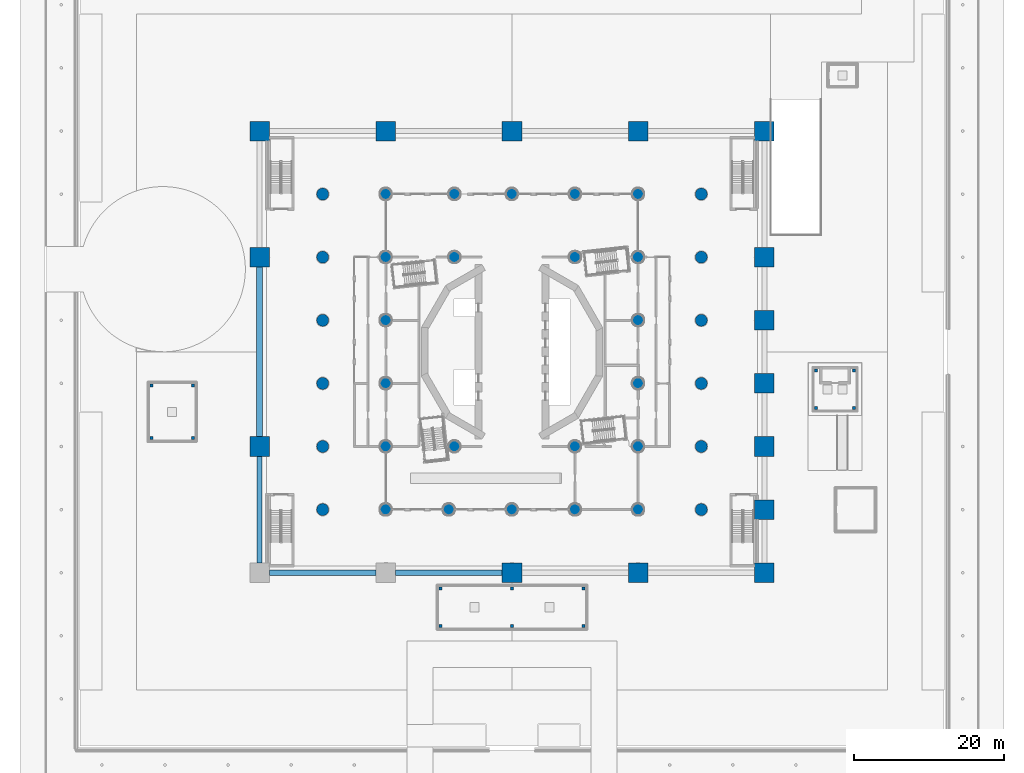
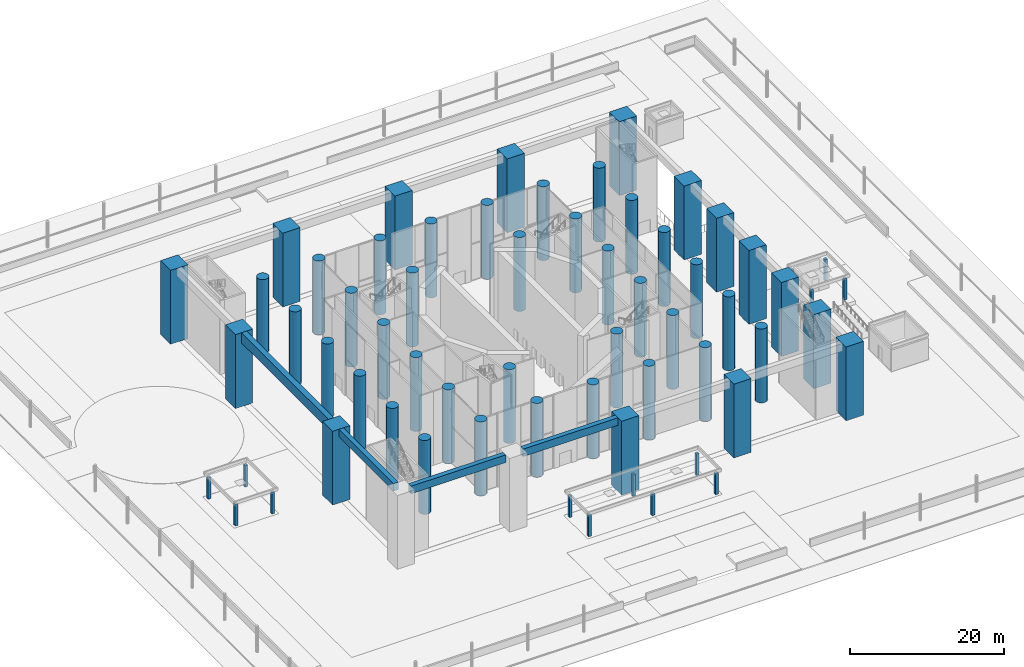
# One storey, part 2 of 52: 63 columns, 4 beams.
"""IFC4 building model written with IfcOpenShell, lengths in metres."""

from ifc_helpers import new_model, si_unit, direction, frame, origin, origin_2d, place, context, subcontext, project, spatial, rectangle, circle, extrude, material, material_profile, profile_set, type_object, element, save


model = new_model("IFC4")

# Units and contexts
model_context = context("Model", 3, precision=1e-05, world=origin(), true_north=direction((0.0, 1.0)))
body_context = subcontext(model_context, "Body", "Model", "MODEL_VIEW")
ifc_project = project(units=[si_unit("LENGTHUNIT", "METRE"), si_unit("AREAUNIT", "SQUARE_METRE"), si_unit("VOLUMEUNIT", "CUBIC_METRE"), si_unit("PLANEANGLEUNIT", "RADIAN"), si_unit("MASSUNIT", "GRAM", prefix="KILO")], contexts=[model_context])

# Site, building, storey
site_placement = place(None, origin())
site = spatial("IfcSite", under=ifc_project, at=site_placement, CompositionType="ELEMENT")
building_placement = place(site_placement, origin())
building = spatial("IfcBuilding", under=site, at=building_placement, Name="Cantera Rosa Tower", CompositionType="ELEMENT")
storey_placement = place(building_placement, origin())
storey = spatial("IfcBuildingStorey", under=building, at=storey_placement, Name="L00", CompositionType="ELEMENT", Elevation=0.0)

# Columns
ifc_material_1 = material(Name="Concrete C60/75", Category="concrete")
ifc_material_profile_1 = material_profile(ifc_material_1, rectangle(XDim=0.39990234375, YDim=0.39990234375, at=origin_2d()), Name="Pavilion column 400x400")
ifc_profile_set_1 = profile_set([ifc_material_profile_1], Name="Concrete C60/75")
column_type_1 = type_object("IfcColumnType", Name="Pavilion column 400x400", PredefinedType="COLUMN", material=ifc_profile_set_1)
for number, where, z_axis, x_axis, name in (
    (1, (-48.0, -11.5, 0.0), (0.0, 0.0, 1.0), (1.0, 0.0, 0.0), "Pavilion column BIKE 00"),
    (2, (-48.0, -4.5, 0.0), (0.0, 0.0, 1.0), (1.0, 0.0, 0.0), "Pavilion column BIKE 01"),
    (3, (-42.5, -11.5, 0.0), (0.0, 0.0, 1.0), (1.0, 0.0, 0.0), "Pavilion column BIKE 10"),
    (4, (-42.5, -4.5, 0.0), (0.0, 0.0, 1.0), (1.0, 0.0, 0.0), "Pavilion column BIKE 11"),
    (5, (-9.5, -36.5, 0.0), (0.0, 0.0, 1.0), (1.0, 0.0, 0.0), "Pavilion column DROP 00"),
    (6, (-9.5, -31.5, 0.0), (0.0, 0.0, 1.0), (1.0, 0.0, 0.0), "Pavilion column DROP 01"),
    (7, (0.0, -36.5, 0.0), (0.0, 0.0, 1.0), (1.0, 0.0, 0.0), "Pavilion column DROP 10"),
    (8, (0.0, -31.5, 0.0), (0.0, 0.0, 1.0), (1.0, 0.0, 0.0), "Pavilion column DROP 11"),
    (9, (9.5, -36.5, 0.0), (0.0, 0.0, 1.0), (1.0, 0.0, 0.0), "Pavilion column DROP 20"),
    (10, (9.5, -31.5, 0.0), (0.0, 0.0, 1.0), (1.0, 0.0, 0.0), "Pavilion column DROP 21"),
    (11, (40.5, -7.5, 0.60009765625), (0.0, 0.0, 1.0), (1.0, 0.0, 0.0), "Pavilion column TEA 00"),
    (12, (40.5, -2.5, 0.60009765625), (0.0, 0.0, 1.0), (1.0, 0.0, 0.0), "Pavilion column TEA 01"),
    (13, (45.5, -7.5, 0.60009765625), (0.0, 0.0, 1.0), (1.0, 0.0, 0.0), "Pavilion column TEA 10"),
    (14, (45.5, -2.5, 0.60009765625), (0.0, 0.0, 1.0), (1.0, 0.0, 0.0), "Pavilion column TEA 11"),
):
    element("IfcColumn", number, at=place(storey_placement, frame(where, z_axis=z_axis, x_axis=x_axis)), inside=storey, type_object=column_type_1, Name=name, PredefinedType="COLUMN", context=body_context, shape_type="SweptSolid", body=[
        extrude(rectangle(XDim=0.39990234375, YDim=0.39990234375, at=origin_2d()), origin(), (0.0, 0.0, 1.0), 3.39990234375),
    ])
ifc_material_2 = material(Name="Concrete C60/75", Category="concrete")
ifc_material_profile_2 = material_profile(ifc_material_2, circle(Radius=0.800048828125, at=origin_2d()), Name="Round column 1600")
ifc_profile_set_2 = profile_set([ifc_material_profile_2], Name="Concrete C60/75")
column_type_2 = type_object("IfcColumnType", Name="Round column 1600", PredefinedType="COLUMN", material=ifc_profile_set_2)
for number, where, z_axis, x_axis, name in (
    (15, (-25.199951171875, -21.0, 0.0), (0.0, 0.0, 1.0), (1.0, 0.0, 0.0), "Column C-P-2B"),
    (16, (-25.199951171875, -12.60009765625, 0.0), (0.0, 0.0, 1.0), (1.0, 0.0, 0.0), "Column C-P-2C"),
    (17, (-25.199951171875, -4.199951171875, 0.0), (0.0, 0.0, 1.0), (1.0, 0.0, 0.0), "Column C-P-2D"),
    (18, (-25.199951171875, 4.199951171875, 0.0), (0.0, 0.0, 1.0), (1.0, 0.0, 0.0), "Column C-P-2E"),
    (19, (-25.199951171875, 12.60009765625, 0.0), (0.0, 0.0, 1.0), (1.0, 0.0, 0.0), "Column C-P-2F"),
    (20, (-25.199951171875, 21.0, 0.0), (0.0, 0.0, 1.0), (1.0, 0.0, 0.0), "Column C-P-2G"),
    (21, (-16.800048828125, -21.0, 0.0), (0.0, 0.0, 1.0), (1.0, 0.0, 0.0), "Column C-P-3B"),
    (22, (-16.800048828125, -12.60009765625, 0.0), (0.0, 0.0, 1.0), (1.0, 0.0, 0.0), "Column C-P-3C"),
    (23, (-16.800048828125, -4.199951171875, 0.0), (0.0, 0.0, 1.0), (1.0, 0.0, 0.0), "Column C-P-3D"),
    (24, (-16.800048828125, 4.199951171875, 0.0), (0.0, 0.0, 1.0), (1.0, 0.0, 0.0), "Column C-P-3E"),
    (25, (-16.800048828125, 12.60009765625, 0.0), (0.0, 0.0, 1.0), (1.0, 0.0, 0.0), "Column C-P-3F"),
    (26, (-16.800048828125, 21.0, 0.0), (0.0, 0.0, 1.0), (1.0, 0.0, 0.0), "Column C-P-3G"),
    (27, (-8.39990234375, -21.0, 0.0), (0.0, 0.0, 1.0), (1.0, 0.0, 0.0), "Column C-P-4B"),
    (28, (-7.64990234375, -12.60009765625, 0.0), (0.0, 0.0, 1.0), (1.0, 0.0, 0.0), "Column C-P-4C"),
    (29, (-7.64990234375, 12.60009765625, 0.0), (0.0, 0.0, 1.0), (1.0, 0.0, 0.0), "Column C-B-4N2"),
    (30, (-7.64990234375, 21.0, 0.0), (0.0, 0.0, 1.0), (1.0, 0.0, 0.0), "Column C-B-4N3"),
    (31, (0.0, -21.0, 0.0), (0.0, 0.0, 1.0), (1.0, 0.0, 0.0), "Column C-P-5B"),
    (32, (0.0, 21.0, 0.0), (0.0, 0.0, 1.0), (1.0, 0.0, 0.0), "Column C-P-5G"),
    (33, (8.39990234375, -21.0, 0.0), (0.0, 0.0, 1.0), (1.0, 0.0, 0.0), "Column C-P-6B"),
    (34, (8.39990234375, -12.60009765625, 0.0), (0.0, 0.0, 1.0), (1.0, 0.0, 0.0), "Column C-P-6C"),
    (35, (8.39990234375, 12.60009765625, 0.0), (0.0, 0.0, 1.0), (1.0, 0.0, 0.0), "Column C-P-6F"),
    (36, (8.39990234375, 21.0, 0.0), (0.0, 0.0, 1.0), (1.0, 0.0, 0.0), "Column C-P-6G"),
    (37, (16.800048828125, -21.0, 0.0), (0.0, 0.0, 1.0), (1.0, 0.0, 0.0), "Column C-P-7B"),
    (38, (16.800048828125, -12.60009765625, 0.0), (0.0, 0.0, 1.0), (1.0, 0.0, 0.0), "Column C-P-7C"),
    (39, (16.800048828125, -4.199951171875, 0.0), (0.0, 0.0, 1.0), (1.0, 0.0, 0.0), "Column C-P-7D"),
    (40, (16.800048828125, 4.199951171875, 0.0), (0.0, 0.0, 1.0), (1.0, 0.0, 0.0), "Column C-P-7E"),
    (41, (16.800048828125, 12.60009765625, 0.0), (0.0, 0.0, 1.0), (1.0, 0.0, 0.0), "Column C-P-7F"),
    (42, (16.800048828125, 21.0, 0.0), (0.0, 0.0, 1.0), (1.0, 0.0, 0.0), "Column C-P-7G"),
    (43, (25.199951171875, -21.0, 0.0), (0.0, 0.0, 1.0), (1.0, 0.0, 0.0), "Column C-P-8B"),
    (44, (25.199951171875, -12.60009765625, 0.0), (0.0, 0.0, 1.0), (1.0, 0.0, 0.0), "Column C-P-8C"),
    (45, (25.199951171875, -4.199951171875, 0.0), (0.0, 0.0, 1.0), (1.0, 0.0, 0.0), "Column C-P-8D"),
    (46, (25.199951171875, 4.199951171875, 0.0), (0.0, 0.0, 1.0), (1.0, 0.0, 0.0), "Column C-P-8E"),
    (47, (25.199951171875, 12.60009765625, 0.0), (0.0, 0.0, 1.0), (1.0, 0.0, 0.0), "Column C-P-8F"),
    (48, (25.199951171875, 21.0, 0.0), (0.0, 0.0, 1.0), (1.0, 0.0, 0.0), "Column C-P-8G"),
):
    element("IfcColumn", number, at=place(storey_placement, frame(where, z_axis=z_axis, x_axis=x_axis)), inside=storey, type_object=column_type_2, Name=name, PredefinedType="COLUMN", context=body_context, shape_type="SweptSolid", body=[
        extrude(circle(Radius=0.800048828125, at=origin_2d()), origin(), (0.0, 0.0, 1.0), 11.699951171875),
    ])
ifc_material_3 = material(Name="Concrete C60/75", Category="concrete")
ifc_material_profile_3 = material_profile(ifc_material_3, rectangle(XDim=2.60009765625, YDim=2.60009765625, at=origin_2d()), Name="Stone pier 2600x2600")
ifc_profile_set_3 = profile_set([ifc_material_profile_3], Name="Concrete C60/75")
column_type_3 = type_object("IfcColumnType", Name="Stone pier 2600x2600", PredefinedType="COLUMN", material=ifc_profile_set_3)
for number, where, z_axis, x_axis, name in (
    (49, (-33.60009765625, -12.60009765625, 0.0), (0.0, 0.0, 1.0), (1.0, 0.0, 0.0), "Column C-P-1C"),
    (50, (-33.60009765625, 12.60009765625, 0.0), (0.0, 0.0, 1.0), (1.0, 0.0, 0.0), "Column C-P-1F"),
    (51, (-33.60009765625, 29.39990234375, 0.0), (0.0, 0.0, 1.0), (1.0, 0.0, 0.0), "Column C-P-1H"),
    (52, (-16.800048828125, 29.39990234375, 0.0), (0.0, 0.0, 1.0), (1.0, 0.0, 0.0), "Column C-P-3H"),
    (53, (0.0, -29.39990234375, 0.0), (0.0, 0.0, 1.0), (1.0, 0.0, 0.0), "Column C-P-5A"),
    (54, (0.0, 29.39990234375, 0.0), (0.0, 0.0, 1.0), (1.0, 0.0, 0.0), "Column C-P-5H"),
    (55, (16.800048828125, -29.39990234375, 0.0), (0.0, 0.0, 1.0), (1.0, 0.0, 0.0), "Column C-P-7A"),
    (56, (16.800048828125, 29.39990234375, 0.0), (0.0, 0.0, 1.0), (1.0, 0.0, 0.0), "Column C-P-7H"),
    (57, (33.60009765625, -29.39990234375, 0.0), (0.0, 0.0, 1.0), (1.0, 0.0, 0.0), "Column C-P-9A"),
    (58, (33.60009765625, -21.0, 0.0), (0.0, 0.0, 1.0), (1.0, 0.0, 0.0), "Column C-P-9B"),
    (59, (33.60009765625, -12.60009765625, 0.0), (0.0, 0.0, 1.0), (1.0, 0.0, 0.0), "Column C-P-9C"),
    (60, (33.60009765625, -4.199951171875, 0.0), (0.0, 0.0, 1.0), (1.0, 0.0, 0.0), "Column C-P-9D"),
    (61, (33.60009765625, 4.199951171875, 0.0), (0.0, 0.0, 1.0), (1.0, 0.0, 0.0), "Column C-P-9E"),
    (62, (33.60009765625, 12.60009765625, 0.0), (0.0, 0.0, 1.0), (1.0, 0.0, 0.0), "Column C-P-9F"),
    (63, (33.60009765625, 29.39990234375, 0.0), (0.0, 0.0, 1.0), (1.0, 0.0, 0.0), "Column C-P-9H"),
):
    element("IfcColumn", number, at=place(storey_placement, frame(where, z_axis=z_axis, x_axis=x_axis)), inside=storey, type_object=column_type_3, Name=name, PredefinedType="COLUMN", context=body_context, shape_type="SweptSolid", body=[
        extrude(rectangle(XDim=2.60009765625, YDim=2.60009765625, at=origin_2d()), origin(), (0.0, 0.0, 1.0), 11.699951171875),
    ])

# Beams
ifc_material_4 = material(Name="Concrete C50/60", Category="concrete")
ifc_material_profile_4 = material_profile(ifc_material_4, rectangle(XDim=0.699951171875, YDim=1.199951171875, at=origin_2d()), Name="Edge girder 700x1200")
ifc_profile_set_4 = profile_set([ifc_material_profile_4], Name="Concrete C50/60")
beam_type_1 = type_object("IfcBeamType", Name="Edge girder 700x1200", PredefinedType="BEAM", material=ifc_profile_set_4)
beam_1_placement = place(storey_placement, frame((-33.60009765625, -28.10009765625, 11.10009765625), z_axis=(0.0, 1.0, 0.0), x_axis=(-1.0, 0.0, 0.0)))
element("IfcBeam", 64, at=beam_1_placement, inside=storey, type_object=beam_type_1, Name="Edge girder L00-01", PredefinedType="BEAM", context=body_context, shape_type="SweptSolid", body=[
    extrude(rectangle(XDim=0.699951171875, YDim=1.199951171875, at=origin_2d()), origin(), (0.0, 0.0, 1.0), 14.2001953125),
])
for number, where, z_axis, x_axis, name in (
    (65, (-32.300048828125, -29.39990234375, 11.10009765625), (1.0, 0.0, 0.0), (0.0, 1.0, 0.0), "Edge girder L00-02"),
    (66, (-15.5, -29.39990234375, 11.10009765625), (1.0, 0.0, 0.0), (0.0, 1.0, 0.0), "Edge girder L00-06"),
):
    element("IfcBeam", number, at=place(storey_placement, frame(where, z_axis=z_axis, x_axis=x_axis)), inside=storey, type_object=beam_type_1, Name=name, PredefinedType="BEAM", context=body_context, shape_type="SweptSolid", body=[
        extrude(rectangle(XDim=0.699951171875, YDim=1.199951171875, at=origin_2d()), origin(), (0.0, 0.0, 1.0), 14.199951171875),
    ])
ifc_material_5 = material(Name="Concrete C50/60", Category="concrete")
ifc_material_profile_5 = material_profile(ifc_material_5, rectangle(XDim=0.800048828125, YDim=1.60009765625, at=origin_2d()), Name="Edge girder 800x1600")
ifc_profile_set_5 = profile_set([ifc_material_profile_5], Name="Concrete C50/60")
beam_type_2 = type_object("IfcBeamType", Name="Edge girder 800x1600", PredefinedType="BEAM", material=ifc_profile_set_5)
beam_2_placement = place(storey_placement, frame((-33.60009765625, -11.300048828125, 10.89990234375), z_axis=(0.0, 1.0, 0.0), x_axis=(-1.0, 0.0, 0.0)))
element("IfcBeam", 67, at=beam_2_placement, inside=storey, type_object=beam_type_2, Name="Edge girder L00-03", PredefinedType="BEAM", context=body_context, shape_type="SweptSolid", body=[
    extrude(rectangle(XDim=0.800048828125, YDim=1.60009765625, at=origin_2d()), origin(), (0.0, 0.0, 1.0), 22.60009765625),
])

save(model, "model.ifc")
